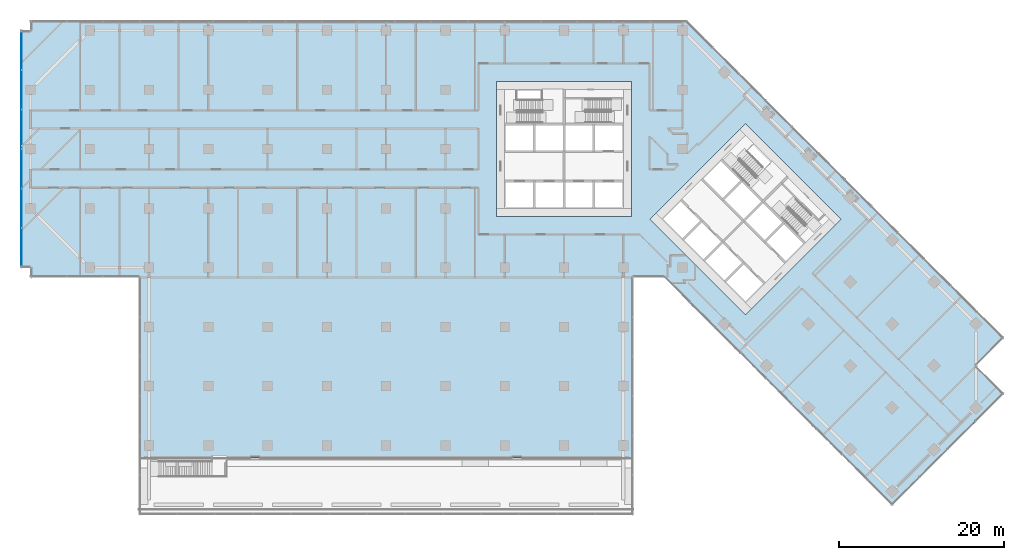
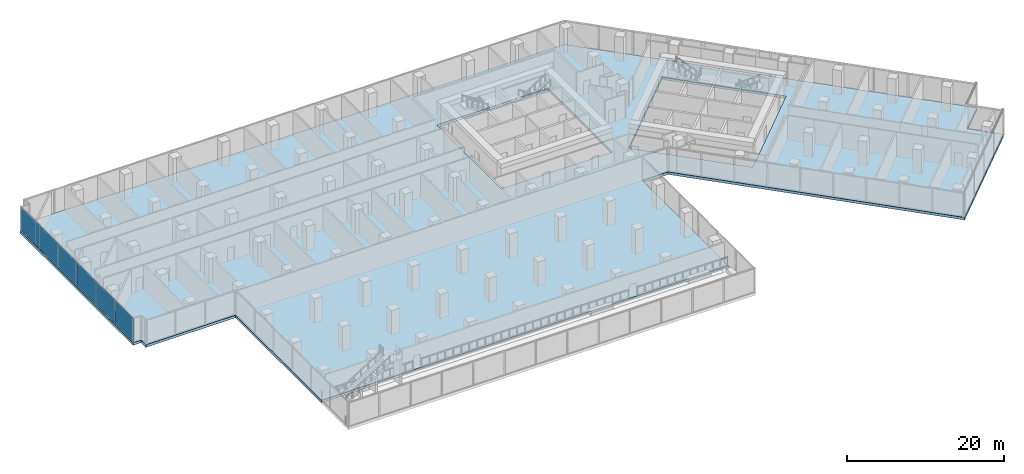
# One storey, part 16 of 27: 6 plates, 1 slab, 2 openings, 1 element without a shape of its own.
"""IFC4 building model written with IfcOpenShell, lengths in metres."""

from ifc_helpers import new_model, si_unit, direction, frame, origin, origin_2d, place, context, subcontext, project, spatial, polyline, rectangle, outline, extrude, material, layer, layer_set, type_object, element, aggregate, save


model = new_model("IFC4")

# Units and contexts
model_context = context("Model", 3, precision=1e-05, world=origin(), true_north=direction((0.0, 1.0)))
body_context = subcontext(model_context, "Body", "Model", "MODEL_VIEW")
ifc_project = project(units=[si_unit("LENGTHUNIT", "METRE"), si_unit("AREAUNIT", "SQUARE_METRE"), si_unit("VOLUMEUNIT", "CUBIC_METRE"), si_unit("PLANEANGLEUNIT", "RADIAN"), si_unit("MASSUNIT", "GRAM", prefix="KILO")], contexts=[model_context])

# Site, building, storey
site_placement = place(None, origin())
site = spatial("IfcSite", under=ifc_project, at=site_placement, CompositionType="ELEMENT")
building_placement = place(site_placement, origin())
building = spatial("IfcBuilding", under=site, at=building_placement, Name="Windrow Commons", CompositionType="ELEMENT")
storey_placement = place(building_placement, frame((0.0, 0.0, 6.0)))
storey = spatial("IfcBuildingStorey", under=building, at=storey_placement, Name="L01", CompositionType="ELEMENT", Elevation=6.0)

# Curtain wall, plates
ifc_material_1 = material(Name="Clear laminated glass in Aluminium 6063-T6 anodised frame", Category="aluminium")
curtain_wall_type = type_object("IfcCurtainWallType", Name="Curtain wall CW1 podium study hall", PredefinedType="USERDEFINED", material=ifc_material_1)
curtain_wall_placement = place(storey_placement, origin())
curtain_wall = element("IfcCurtainWall", 1, at=curtain_wall_placement, inside=storey, type_object=curtain_wall_type, Name="Curtain wall CW1 L01 8", ObjectType="STICK", PredefinedType="USERDEFINED")
ifc_material_2 = material(Name="Clear laminated glass", Category="glass")
ifc_layer_1 = layer(ifc_material_2, 0.032)
ifc_layer_set_1 = layer_set([ifc_layer_1], Name="CW1 panel glass 32")
plate_type = type_object("IfcPlateType", Name="CW1 panel glass 32", PredefinedType="CURTAIN_PANEL", material=ifc_layer_set_1)
plate_1_placement = place(storey_placement, frame((-1.1, 69.585, 0.06), z_axis=(0.0, 0.0, 1.0), x_axis=(0.0, -1.0, 0.0)))
plate_1 = element("IfcPlate", 2, at=plate_1_placement, type_object=plate_type, Name="CW1 panel 1.1", PredefinedType="CURTAIN_PANEL", context=body_context, shape_type="SweptSolid", body=[
    extrude(rectangle(XDim=4.71, YDim=0.032, at=origin_2d()), origin(), (0.0, 0.0, 1.0), 3.68),
])
plate_2_placement = place(storey_placement, frame((-1.1, 64.8, 0.06), z_axis=(0.0, 0.0, 1.0), x_axis=(0.0, -1.0, 0.0)))
plate_2 = element("IfcPlate", 3, at=plate_2_placement, type_object=plate_type, Name="CW1 panel 2.1", PredefinedType="CURTAIN_PANEL", context=body_context, shape_type="SweptSolid", body=[
    extrude(rectangle(XDim=4.74, YDim=0.032, at=origin_2d()), origin(), (0.0, 0.0, 1.0), 3.68),
])
plate_3_placement = place(storey_placement, frame((-1.1, 60.0, 0.06), z_axis=(0.0, 0.0, 1.0), x_axis=(0.0, -1.0, 0.0)))
plate_3 = element("IfcPlate", 4, at=plate_3_placement, type_object=plate_type, Name="CW1 panel 3.1", PredefinedType="CURTAIN_PANEL", context=body_context, shape_type="SweptSolid", body=[
    extrude(rectangle(XDim=4.74, YDim=0.032, at=origin_2d()), origin(), (0.0, 0.0, 1.0), 3.68),
])
plate_4_placement = place(storey_placement, frame((-1.1, 55.2, 0.06), z_axis=(0.0, 0.0, 1.0), x_axis=(0.0, -1.0, 0.0)))
plate_4 = element("IfcPlate", 5, at=plate_4_placement, type_object=plate_type, Name="CW1 panel 4.1", PredefinedType="CURTAIN_PANEL", context=body_context, shape_type="SweptSolid", body=[
    extrude(rectangle(XDim=4.74, YDim=0.032, at=origin_2d()), origin(), (0.0, 0.0, 1.0), 3.68),
])
plate_5_placement = place(storey_placement, frame((-1.1, 50.4, 0.06), z_axis=(0.0, 0.0, 1.0), x_axis=(0.0, -1.0, 0.0)))
plate_5 = element("IfcPlate", 6, at=plate_5_placement, type_object=plate_type, Name="CW1 panel 5.1", PredefinedType="CURTAIN_PANEL", context=body_context, shape_type="SweptSolid", body=[
    extrude(rectangle(XDim=4.74, YDim=0.032, at=origin_2d()), origin(), (0.0, 0.0, 1.0), 3.68),
])
plate_6_placement = place(storey_placement, frame((-1.1, 45.615, 0.06), z_axis=(0.0, 0.0, 1.0), x_axis=(0.0, -1.0, 0.0)))
plate_6 = element("IfcPlate", 7, at=plate_6_placement, type_object=plate_type, Name="CW1 panel 6.1", PredefinedType="CURTAIN_PANEL", context=body_context, shape_type="SweptSolid", body=[
    extrude(rectangle(XDim=4.71, YDim=0.032, at=origin_2d()), origin(), (0.0, 0.0, 1.0), 3.68),
])
aggregate(curtain_wall, [plate_1, plate_2, plate_3, plate_4, plate_5, plate_6])

# Slab, openings
ifc_material_3 = material(Name="Concrete C60/75", Category="concrete")
ifc_layer_2 = layer(ifc_material_3, 0.4)
ifc_layer_set_2 = layer_set([ifc_layer_2], Name="FLOOR SLAB 400 C60/75")
slab_type = type_object("IfcSlabType", Name="FLOOR SLAB 400 C60/75", PredefinedType="FLOOR", material=ifc_layer_set_2)
slab_placement = place(storey_placement, frame((0.0, 0.0, -0.4)))
slab = element("IfcSlab", 8, at=slab_placement, inside=storey, type_object=slab_type, Name="S-L01-floor", PredefinedType="FLOOR", context=body_context, shape_type="SweptSolid", body=[
    extrude(outline(polyline([(73.2, 42.0), (76.9559, 42.0), (104.6558, 14.3001), (118.2323, 27.8765), (114.8382, 31.2706), (118.2323, 34.6648), (79.6971, 73.2), (0.0, 73.2), (0.0, 72.0), (-1.2, 72.0), (-1.2, 43.2), (0.0, 43.2), (0.0, 42.0), (13.2, 42.0), (13.2, 20.1), (73.2, 20.1), (73.2, 42.0)]), holes=[polyline([(75.2402, 49.0897), (86.8368, 60.6863), (98.4333, 49.0897), (86.8368, 37.4932), (75.2402, 49.0897)]), polyline([(56.6, 49.4), (56.6, 65.8), (73.0, 65.8), (73.0, 49.4), (56.6, 49.4)])]), origin(), (0.0, 0.0, 1.0), 0.4),
])
opening_1_placement = place(slab_placement, origin())
element("IfcOpeningElement", 9, at=opening_1_placement, cuts=slab, Name="Slab opening S-L01-floor 1", PredefinedType="OPENING", context=body_context, shape_type="SweptSolid", body=[
    extrude(outline(polyline([(75.2473, 49.0897), (86.8368, 60.6792), (98.4262, 49.0897), (86.8368, 37.5003), (75.2473, 49.0897)])), origin(), (0.0, 0.0, 1.0), 0.4),
])
opening_2_placement = place(slab_placement, origin())
element("IfcOpeningElement", 10, at=opening_2_placement, cuts=slab, Name="Slab opening S-L01-floor 2", PredefinedType="OPENING", context=body_context, shape_type="SweptSolid", body=[
    extrude(outline(polyline([(56.605, 49.405), (56.605, 65.795), (72.995, 65.795), (72.995, 49.405), (56.605, 49.405)])), origin(), (0.0, 0.0, 1.0), 0.4),
])

save(model, "model.ifc")
